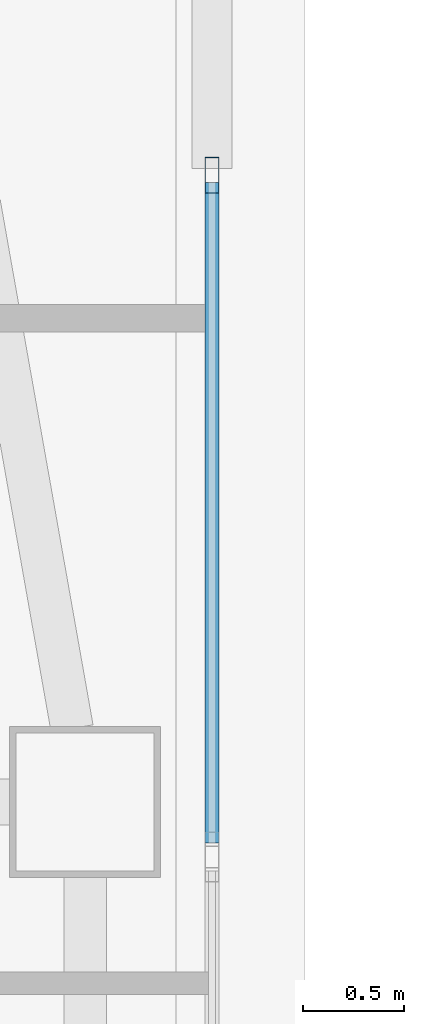
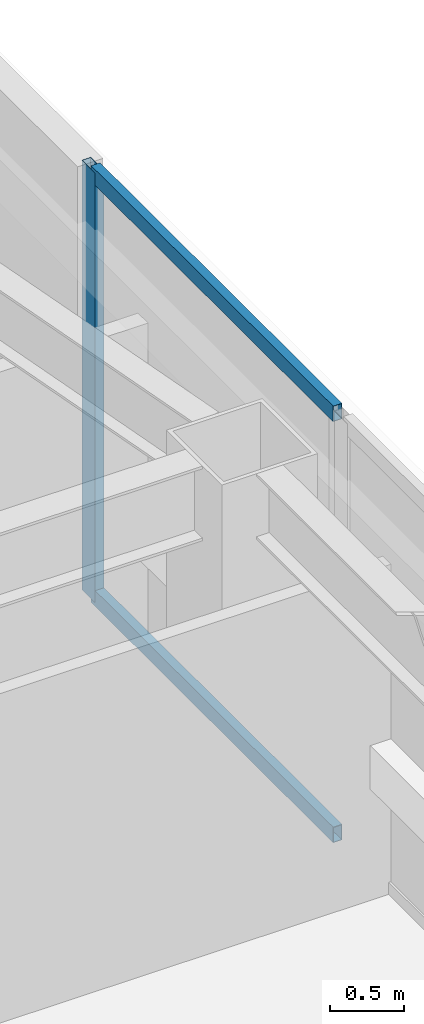
# One storey, part 11 of 42: 3 members, 1 element without a shape of its own.
"""IFC4 building model written with IfcOpenShell, lengths in metres."""

from ifc_helpers import new_model, si_unit, direction, frame, origin, origin_2d, place, context, subcontext, project, spatial, hollow_rectangle, extrude, material, material_profile, profile_set, type_object, element, aggregate, save


model = new_model("IFC4")

# Units and contexts
model_context = context("Model", 3, precision=1e-05, world=origin(), true_north=direction((0.0, 1.0)))
body_context = subcontext(model_context, "Body", "Model", "MODEL_VIEW")
ifc_project = project(units=[si_unit("LENGTHUNIT", "METRE"), si_unit("AREAUNIT", "SQUARE_METRE"), si_unit("VOLUMEUNIT", "CUBIC_METRE"), si_unit("PLANEANGLEUNIT", "RADIAN"), si_unit("MASSUNIT", "GRAM", prefix="KILO")], contexts=[model_context])

# Site, building, storey
site_placement = place(None, origin())
site = spatial("IfcSite", under=ifc_project, at=site_placement, CompositionType="ELEMENT")
building_placement = place(site_placement, origin())
building = spatial("IfcBuilding", under=site, at=building_placement, Name="Tashvorn Skyway Center", CompositionType="ELEMENT")
storey_placement = place(building_placement, frame((0.0, 0.0, 164.10009765625)))
storey = spatial("IfcBuildingStorey", under=building, at=storey_placement, Name="L44", CompositionType="ELEMENT", Elevation=164.10009765625)

# Curtain wall, members
ifc_material = material(Name="Thermally broken bronze-anodized aluminium 6063-T6", Category="aluminium")
curtain_wall_type = type_object("IfcCurtainWallType", Name="CW-CW-Z4", PredefinedType="NOTDEFINED", material=ifc_material)
curtain_wall_placement = place(storey_placement, origin())
curtain_wall = element("IfcCurtainWall", 1, at=curtain_wall_placement, inside=storey, type_object=curtain_wall_type, Name="Tower 1 L44 East Unitised Curtain Wall Glazing Group 1", PredefinedType="NOTDEFINED")
ifc_material_profile_1 = material_profile(ifc_material, hollow_rectangle(XDim=0.070068359375, YDim=0.179931640625, WallThickness=0.00390625, at=origin_2d()), Name="ALU-MULL-70x180")
ifc_profile_set_1 = profile_set([ifc_material_profile_1], Name="Thermally broken bronze-anodized aluminium 6063-T6")
member_type_1 = type_object("IfcMemberType", Name="CWM-CW-Z4", PredefinedType="MULLION", material=ifc_profile_set_1)
member_1_placement = place(storey_placement, frame((59.679931640625, 40.509521484375, 0.0), z_axis=(0.0, 0.0, 1.0), x_axis=(1.0, 0.0, 0.0)))
member_1 = element("IfcMember", 2, at=member_1_placement, type_object=member_type_1, Name="CW-Z4 mullion 1", PredefinedType="MULLION", context=body_context, shape_type="SweptSolid", body=[
    extrude(hollow_rectangle(XDim=0.070068359375, YDim=0.179931640625, WallThickness=0.00390625, at=origin_2d()), origin(), (0.0, 0.0, 1.0), 3.5498046875),
])
ifc_material_profile_2 = material_profile(ifc_material, hollow_rectangle(XDim=0.070068359375, YDim=0.1298828125, WallThickness=0.00390625, at=origin_2d()), Name="ALU-TRAN-70x130")
ifc_profile_set_2 = profile_set([ifc_material_profile_2], Name="Thermally broken bronze-anodized aluminium 6063-T6")
member_type_2 = type_object("IfcMemberType", Name="CWT-CW-Z4", PredefinedType="USERDEFINED", material=ifc_profile_set_2)
member_2_placement = place(storey_placement, frame((59.679931640625, 40.474365234375, 0.034912109375), z_axis=(0.0, -1.0, 0.0), x_axis=(1.0, 0.0, 0.0)))
member_2 = element("IfcMember", 3, at=member_2_placement, type_object=member_type_2, Name="CW-Z4 transom 1.1", ObjectType="TRANSOM", PredefinedType="USERDEFINED", context=body_context, shape_type="SweptSolid", body=[
    extrude(hollow_rectangle(XDim=0.070068359375, YDim=0.1298828125, WallThickness=0.00390625, at=origin_2d()), origin(), (0.0, 0.0, 1.0), 3.277587890625),
])
member_3_placement = place(storey_placement, frame((59.679931640625, 40.474365234375, 3.514892578125), z_axis=(0.0, -1.0, 0.0), x_axis=(1.0, 0.0, 0.0)))
member_3 = element("IfcMember", 4, at=member_3_placement, type_object=member_type_2, Name="CW-Z4 transom 1.2", ObjectType="TRANSOM", PredefinedType="USERDEFINED", context=body_context, shape_type="SweptSolid", body=[
    extrude(hollow_rectangle(XDim=0.070068359375, YDim=0.1298828125, WallThickness=0.00390625, at=origin_2d()), origin(), (0.0, 0.0, 1.0), 3.277587890625),
])
aggregate(curtain_wall, [member_1, member_2, member_3])

save(model, "model.ifc")
